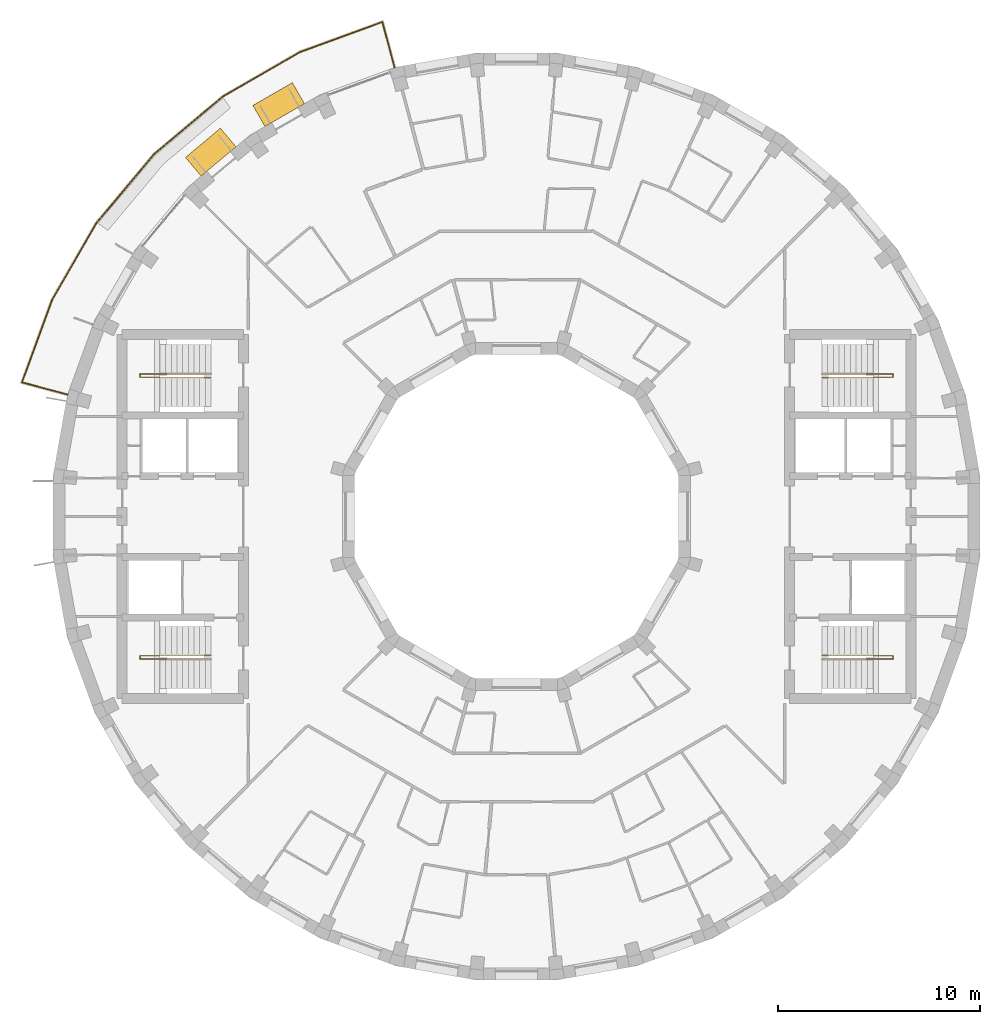
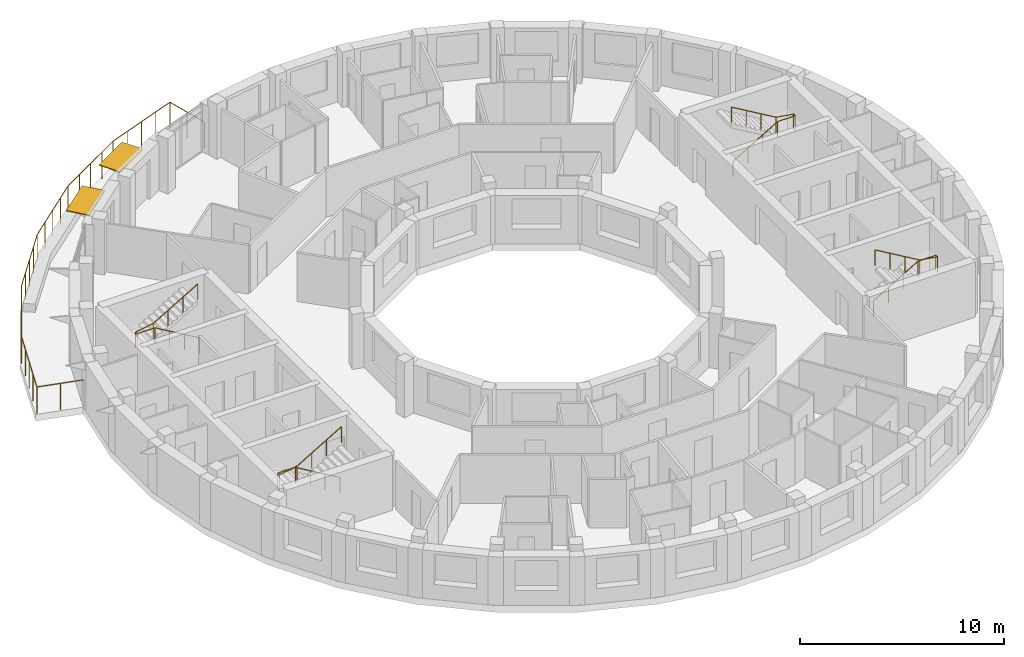
# One storey, part 12 of 12: 5 railings, 2 shading devices.
"""IFC4 building model written with IfcOpenShell, lengths in metres."""

import ifcopenshell
import ifcopenshell.guid

model = None  # the IFC model being written
_history = None  # IfcOwnerHistory: only IFC2X3 demands one
_inside = {}  # id of a spatial element -> (the spatial element, [elements in it])
_under = {}  # id of a project, library or spatial element -> (it, [spatial elements below it])
_declared = {}  # id of a project -> (the project, [libraries it declares])
_typed = {}  # id of a type object -> (the type object, [elements of that type])
_made_of = {}  # id of a material, layer set ... -> (it, [elements and type objects made of it])


def new_model(schema):
    """Start an empty IFC model of exactly this schema.

    Asked for "IFC4X3", IfcOpenShell would pick the latest addendum, in which some entities
    have other attributes; the version numbers below select the first issue.
    IFC2X3 requires an IfcOwnerHistory on every rooted entity: one is made here for all.
    """
    global model, _history
    if schema == "IFC4X3":
        model = ifcopenshell.file(schema_version=(4, 3, 0, 0))
    else:
        model = ifcopenshell.file(schema=schema)
    _inside.clear()
    _under.clear()
    _declared.clear()
    _typed.clear()
    _made_of.clear()
    _history = None
    if model.schema == "IFC2X3":
        org = make("IfcOrganization", Name="unknown")
        user = make(
            "IfcPersonAndOrganization",
            ThePerson=make("IfcPerson", FamilyName="unknown"),
            TheOrganization=org,
        )
        app = make(
            "IfcApplication",
            ApplicationDeveloper=org,
            Version="unknown",
            ApplicationFullName="unknown",
            ApplicationIdentifier="unknown",
        )
        _history = make(
            "IfcOwnerHistory",
            OwningUser=user,
            OwningApplication=app,
            ChangeAction="ADDED",
            CreationDate=0,
        )
    return model


def make(cls, **values):
    """One entity of the class cls with the attributes given. An attribute that is None is left unset."""
    return model.create_entity(
        cls, **{name: value for name, value in values.items() if value is not None}
    )


def rooted(cls, **values):
    """An entity with a GlobalId (a new one), such as an element, a storey or a relation."""
    return make(cls, GlobalId=ifcopenshell.guid.new(), OwnerHistory=_history, **values)


def si_unit(unit_type, name, prefix=None):
    """IfcSIUnit, for example si_unit("LENGTHUNIT", "METRE", prefix="MILLI")."""
    return make("IfcSIUnit", UnitType=unit_type, Prefix=prefix, Name=name)


def assignment(units):
    """IfcUnitAssignment: the units of a project."""
    return None if units is None else make("IfcUnitAssignment", Units=units)


def point(xyz):
    """IfcCartesianPoint."""
    return None if xyz is None else make("IfcCartesianPoint", Coordinates=xyz)


def direction(xyz):
    """IfcDirection."""
    return None if xyz is None else make("IfcDirection", DirectionRatios=xyz)


def frame(location, z_axis=None, x_axis=None):
    """IfcAxis2Placement3D, a coordinate frame: its origin and axes. An axis left out is left unset."""
    return make(
        "IfcAxis2Placement3D",
        Location=point(location),
        Axis=direction(z_axis),
        RefDirection=direction(x_axis),
    )


def frame_2d(location, x_axis=None):
    """IfcAxis2Placement2D, a coordinate frame in the plane: its origin and x axis."""
    return make(
        "IfcAxis2Placement2D", Location=point(location), RefDirection=direction(x_axis)
    )


def origin():
    """The frame at (0, 0, 0) with its axes left unset."""
    return frame((0.0, 0.0, 0.0))


def origin_2d():
    """The frame at (0, 0) in the plane with its x axis left unset."""
    return frame_2d((0.0, 0.0))


def place(relative_to, where):
    """IfcLocalPlacement: puts the frame where relative to a parent placement (None: the world)."""
    return make(
        "IfcLocalPlacement", PlacementRelTo=relative_to, RelativePlacement=where
    )


def context(
    kind, dimensions, precision=None, world=None, true_north=None, identifier=None
):
    """IfcGeometricRepresentationContext, for example the 3D "Model" context."""
    return make(
        "IfcGeometricRepresentationContext",
        ContextIdentifier=identifier,
        ContextType=kind,
        CoordinateSpaceDimension=dimensions,
        Precision=precision,
        WorldCoordinateSystem=world,
        TrueNorth=true_north,
    )


def subcontext(parent, identifier, kind, view, scale=None):
    """IfcGeometricRepresentationSubContext, for example "Body" below "Model"."""
    return make(
        "IfcGeometricRepresentationSubContext",
        ContextIdentifier=identifier,
        ContextType=kind,
        ParentContext=parent,
        TargetScale=scale,
        TargetView=view,
    )


def project(units=None, contexts=None):
    """IfcProject with its units and contexts."""
    return rooted(
        "IfcProject",
        Name="project",
        RepresentationContexts=contexts,
        UnitsInContext=assignment(units),
    )


def spatial(cls, under=None, at=None, **own):
    """A site, building, storey or space (cls), placed at a placement, below another one or the project."""
    s = rooted(cls, ObjectPlacement=at, **own)
    if under is not None:
        _under.setdefault(under.id(), (under, []))[1].append(s)
    return s


def profile(cls, at=None, kind="AREA", **sizes):
    """A parametric profile (cls). Its sizes go by their IFC names, for example OverallWidth=200.0."""
    return make(cls, ProfileType=kind, Position=at, **sizes)


def rectangle(**sizes):
    """IfcRectangleProfileDef."""
    return profile("IfcRectangleProfileDef", **sizes)


def circle(**sizes):
    """IfcCircleProfileDef."""
    return profile("IfcCircleProfileDef", **sizes)


def extrude(swept, where, along, depth):
    """IfcExtrudedAreaSolid: the profile swept, set in the frame where, extruded along a direction by depth."""
    return make(
        "IfcExtrudedAreaSolid",
        SweptArea=swept,
        Position=where,
        ExtrudedDirection=direction(along),
        Depth=depth,
    )


def shape(context_of_items, identifier, shape_type, items):
    """IfcShapeRepresentation: the items that make up one representation, for example the "Body"."""
    return make(
        "IfcShapeRepresentation",
        ContextOfItems=context_of_items,
        RepresentationIdentifier=identifier,
        RepresentationType=shape_type,
        Items=items,
    )


def material(Name=None, Category=None):
    """IfcMaterial."""
    return make("IfcMaterial", Name=Name, Category=Category)


def layer(
    of_material, thickness, ventilated=None, Name=None, Category=None, Priority=None
):
    """IfcMaterialLayer: one layer of a wall or slab, of a material (None: an air gap)."""
    return make(
        "IfcMaterialLayer",
        Material=of_material,
        LayerThickness=thickness,
        IsVentilated=ventilated,
        Name=Name,
        Category=Category,
        Priority=Priority,
    )


def layer_set(layers, Name=None):
    """IfcMaterialLayerSet."""
    return make("IfcMaterialLayerSet", MaterialLayers=layers, LayerSetName=Name)


def made_of(thing, what):
    """Note that an element or type object is made of a material, layer set ...; save() writes the relation."""
    if what is not None:
        _made_of.setdefault(what.id(), (what, []))[1].append(thing)
    return thing


def type_object(cls, material=None, **own):
    """A type object (cls), such as IfcWallType, which elements share."""
    return made_of(rooted(cls, **own), material)


def element(
    cls,
    number,
    at=None,
    inside=None,
    cuts=None,
    type_object=None,
    material=None,
    context=None,
    identifier="Body",
    shape_type=None,
    held_by="IfcProductDefinitionShape",
    body=None,
    shapes=None,
    **own,
):
    """One element of the class cls, such as IfcWall. Its Tag is "e" and its number.

    at: its placement. inside: the storey or other place that contains it. cuts: it is an
    opening in that element (IfcRelVoidsElement). A single representation is given by context,
    identifier, shape_type and body (its items); several are given by shapes. held_by: the class
    of the entity that holds the representations. save() writes the other relations.
    """
    e = rooted(cls, Tag="e%d" % number, ObjectPlacement=at, **own)
    if body is not None:
        shapes = [shape(context, identifier, shape_type, body)]
    if shapes is not None:
        e.Representation = make(held_by, Representations=shapes)
    if inside is not None:
        _inside.setdefault(inside.id(), (inside, []))[1].append(e)
    if cuts is not None:
        rooted(
            "IfcRelVoidsElement", RelatingBuildingElement=cuts, RelatedOpeningElement=e
        )
    if type_object is not None:
        _typed.setdefault(type_object.id(), (type_object, []))[1].append(e)
    return made_of(e, material)


def aggregate(whole, parts):
    """IfcRelAggregates: a whole, such as a stair, and the parts it consists of."""
    return rooted("IfcRelAggregates", RelatingObject=whole, RelatedObjects=parts)


def save(model, path):
    """Write the relations noted so far, then the file.

    IfcRelAggregates (storeys below a building ...), IfcRelContainedInSpatialStructure (elements
    in a storey), IfcRelDefinesByType, IfcRelAssociatesMaterial and IfcRelDeclares: one each for
    every whole, place, type object, material and project.
    """
    for whole, parts in _under.values():
        aggregate(whole, parts)
    for where, things in _inside.values():
        rooted(
            "IfcRelContainedInSpatialStructure",
            RelatedElements=things,
            RelatingStructure=where,
        )
    for kind, things in _typed.values():
        rooted("IfcRelDefinesByType", RelatedObjects=things, RelatingType=kind)
    for what, things in _made_of.values():
        rooted("IfcRelAssociatesMaterial", RelatedObjects=things, RelatingMaterial=what)
    for by, libraries in _declared.values():
        rooted("IfcRelDeclares", RelatingContext=by, RelatedDefinitions=libraries)
    model.write(path)


model = new_model("IFC4")

# Units and contexts
model_context = context("Model", 3, precision=1e-05, world=origin(), true_north=direction((0.0, 1.0)))
body_context = subcontext(model_context, "Body", "Model", "MODEL_VIEW")
ifc_project = project(units=[si_unit("LENGTHUNIT", "METRE"), si_unit("AREAUNIT", "SQUARE_METRE"), si_unit("VOLUMEUNIT", "CUBIC_METRE"), si_unit("PLANEANGLEUNIT", "RADIAN"), si_unit("MASSUNIT", "GRAM", prefix="KILO")], contexts=[model_context])

# Site, building, storey
site_placement = place(None, origin())
site = spatial("IfcSite", under=ifc_project, at=site_placement, CompositionType="ELEMENT")
building_placement = place(site_placement, origin())
building = spatial("IfcBuilding", under=site, at=building_placement, Name="Saqina Gate Tower", CompositionType="ELEMENT")
storey_placement = place(building_placement, frame((0.0, 0.0, 236.300048828125)))
storey = spatial("IfcBuildingStorey", under=building, at=storey_placement, Name="L67", CompositionType="ELEMENT", Elevation=236.300048828125)

# Shading devices
ifc_material_1 = material(Name="Aluminium and fabric awning", Category="aluminium")
ifc_layer = layer(ifc_material_1, 0.050048828125)
ifc_layer_set = layer_set([ifc_layer], Name="AW-TERRACE")
shading_device_type = type_object("IfcShadingDeviceType", Name="AW-TERRACE", PredefinedType="AWNING", material=ifc_layer_set)
for number, where, z_axis, x_axis, name in (
    (1, (-11.756103515625, 20.3623046875, 2.52490234375), (0.0, 0.0, 1.0), (-0.866025403784, -0.5, 0.0), "Terrace awning L67 facet 12"),
    (2, (-15.113525390625, 18.01171875, 2.52490234375), (0.0, 0.0, 1.0), (-0.766044443119, -0.642787609687, 0.0), "Terrace awning L67 facet 13"),
):
    element("IfcShadingDevice", number, at=place(storey_placement, frame(where, z_axis=z_axis, x_axis=x_axis)), inside=storey, type_object=shading_device_type, Name=name, PredefinedType="AWNING", context=body_context, shape_type="SweptSolid", body=[
        extrude(rectangle(XDim=2.251708984375, YDim=1.199951171875, at=origin_2d()), origin(), (0.0, 0.0, 1.0), 0.050048828125),
    ])

# Railings
ifc_material_2 = material(Name="Stainless steel", Category="steel")
railing_type_1 = type_object("IfcRailingType", Name="RL-TERRACE", PredefinedType="GUARDRAIL", material=ifc_material_2)
railing_1_placement = place(storey_placement, frame((-6.0146484375, 22.1376953125, 0.0)))
element("IfcRailing", 3, at=railing_1_placement, inside=storey, type_object=railing_type_1, Name="Terrace guard L67", PredefinedType="GUARDRAIL", context=body_context, shape_type="SweptSolid", body=[
    extrude(circle(Radius=0.02392578125, at=origin_2d()), frame((0.0, 0.0, 1.576171875), z_axis=(-0.25878206332, 0.965935734769, 0.0), x_axis=(-0.965935734769, -0.25878206332, 0.0)), (0.0, 0.0, 1.0), 2.388671875),
    extrude(circle(Radius=0.02392578125, at=origin_2d()), frame((-0.6181640625, 2.307373046875, 1.576171875), z_axis=(-0.939147224879, -0.343514905065, 0.0), x_axis=(0.343514905065, -0.939147224879, 0.0)), (0.0, 0.0, 1.0), 4.33544921875),
    extrude(circle(Radius=0.02392578125, at=origin_2d()), frame((-4.689697265625, 0.818115234375, 1.576171875), z_axis=(-0.866036415623, -0.49998092645, 0.0), x_axis=(0.49998092645, -0.866036415623, 0.0)), (0.0, 0.0, 1.0), 4.415283203125),
    extrude(circle(Radius=0.02392578125, at=origin_2d()), frame((-8.513427734375, -1.389404296875, 1.576171875), z_axis=(-0.766018499335, -0.642818527017, 0.0), x_axis=(0.642818527017, -0.766018499335, 0.0)), (0.0, 0.0, 1.0), 4.4150390625),
    extrude(circle(Radius=0.02392578125, at=origin_2d()), frame((-11.8955078125, -4.2275390625, 1.576171875), z_axis=(-0.642818527017, -0.766018499335, 0.0), x_axis=(0.766018499335, -0.642818527017, 0.0)), (0.0, 0.0, 1.0), 4.4150390625),
    extrude(circle(Radius=0.02392578125, at=origin_2d()), frame((-14.733642578125, -7.609619140625, 1.576171875), z_axis=(-0.49998092645, -0.866036415623, 0.0), x_axis=(0.866036415623, -0.49998092645, 0.0)), (0.0, 0.0, 1.0), 4.415283203125),
    extrude(circle(Radius=0.02392578125, at=origin_2d()), frame((-16.941162109375, -11.433349609375, 1.576171875), z_axis=(-0.343514905065, -0.939147224879, 0.0), x_axis=(0.939147224879, -0.343514905065, 0.0)), (0.0, 0.0, 1.0), 4.33544921875),
    extrude(circle(Radius=0.02392578125, at=origin_2d()), frame((-18.430419921875, -15.5048828125, 1.576171875), z_axis=(0.965935734769, -0.25878206332, 0.0), x_axis=(0.25878206332, 0.965935734769, 0.0)), (0.0, 0.0, 1.0), 2.388671875),
    extrude(circle(Radius=0.02099609375, at=origin_2d()), origin(), (0.0, 0.0, 1.0), 1.552001953125),
    extrude(circle(Radius=0.02099609375, at=origin_2d()), frame((-0.30908203125, 1.15380859375, 0.0)), (0.0, 0.0, 1.0), 1.552001953125),
    extrude(circle(Radius=0.02099609375, at=origin_2d()), frame((-0.6181640625, 2.307373046875, 0.0)), (0.0, 0.0, 1.0), 1.552001953125),
    extrude(circle(Radius=0.02099609375, at=origin_2d()), frame((-1.635986328125, 1.93505859375, 0.0)), (0.0, 0.0, 1.0), 1.552001953125),
    extrude(circle(Radius=0.02099609375, at=origin_2d()), frame((-2.65380859375, 1.562744140625, 0.0)), (0.0, 0.0, 1.0), 1.552001953125),
    extrude(circle(Radius=0.02099609375, at=origin_2d()), frame((-3.671875, 1.1904296875, 0.0)), (0.0, 0.0, 1.0), 1.552001953125),
    extrude(circle(Radius=0.02099609375, at=origin_2d()), frame((-4.689697265625, 0.818115234375, 0.0)), (0.0, 0.0, 1.0), 1.552001953125),
    extrude(circle(Radius=0.02099609375, at=origin_2d()), frame((-5.6455078125, 0.26611328125, 0.0)), (0.0, 0.0, 1.0), 1.552001953125),
    extrude(circle(Radius=0.02099609375, at=origin_2d()), frame((-6.6015625, -0.28564453125, 0.0)), (0.0, 0.0, 1.0), 1.552001953125),
    extrude(circle(Radius=0.02099609375, at=origin_2d()), frame((-7.5576171875, -0.83740234375, 0.0)), (0.0, 0.0, 1.0), 1.552001953125),
    extrude(circle(Radius=0.02099609375, at=origin_2d()), frame((-8.513427734375, -1.389404296875, 0.0)), (0.0, 0.0, 1.0), 1.552001953125),
    extrude(circle(Radius=0.02099609375, at=origin_2d()), frame((-9.35888671875, -2.098876953125, 0.0)), (0.0, 0.0, 1.0), 1.552001953125),
    extrude(circle(Radius=0.02099609375, at=origin_2d()), frame((-10.20458984375, -2.80859375, 0.0)), (0.0, 0.0, 1.0), 1.552001953125),
    extrude(circle(Radius=0.02099609375, at=origin_2d()), frame((-11.050048828125, -3.51806640625, 0.0)), (0.0, 0.0, 1.0), 1.552001953125),
    extrude(circle(Radius=0.02099609375, at=origin_2d()), frame((-11.8955078125, -4.2275390625, 0.0)), (0.0, 0.0, 1.0), 1.552001953125),
    extrude(circle(Radius=0.02099609375, at=origin_2d()), frame((-12.60498046875, -5.072998046875, 0.0)), (0.0, 0.0, 1.0), 1.552001953125),
    extrude(circle(Radius=0.02099609375, at=origin_2d()), frame((-13.314453125, -5.91845703125, 0.0)), (0.0, 0.0, 1.0), 1.552001953125),
    extrude(circle(Radius=0.02099609375, at=origin_2d()), frame((-14.024169921875, -6.76416015625, 0.0)), (0.0, 0.0, 1.0), 1.552001953125),
    extrude(circle(Radius=0.02099609375, at=origin_2d()), frame((-14.733642578125, -7.609619140625, 0.0)), (0.0, 0.0, 1.0), 1.552001953125),
    extrude(circle(Radius=0.02099609375, at=origin_2d()), frame((-15.28564453125, -8.5654296875, 0.0)), (0.0, 0.0, 1.0), 1.552001953125),
    extrude(circle(Radius=0.02099609375, at=origin_2d()), frame((-15.83740234375, -9.521484375, 0.0)), (0.0, 0.0, 1.0), 1.552001953125),
    extrude(circle(Radius=0.02099609375, at=origin_2d()), frame((-16.38916015625, -10.4775390625, 0.0)), (0.0, 0.0, 1.0), 1.552001953125),
    extrude(circle(Radius=0.02099609375, at=origin_2d()), frame((-16.941162109375, -11.433349609375, 0.0)), (0.0, 0.0, 1.0), 1.552001953125),
    extrude(circle(Radius=0.02099609375, at=origin_2d()), frame((-17.3134765625, -12.451171875, 0.0)), (0.0, 0.0, 1.0), 1.552001953125),
    extrude(circle(Radius=0.02099609375, at=origin_2d()), frame((-17.685791015625, -13.46923828125, 0.0)), (0.0, 0.0, 1.0), 1.552001953125),
    extrude(circle(Radius=0.02099609375, at=origin_2d()), frame((-18.05810546875, -14.487060546875, 0.0)), (0.0, 0.0, 1.0), 1.552001953125),
    extrude(circle(Radius=0.02099609375, at=origin_2d()), frame((-18.430419921875, -15.5048828125, 0.0)), (0.0, 0.0, 1.0), 1.552001953125),
    extrude(circle(Radius=0.02099609375, at=origin_2d()), frame((-17.27685546875, -15.81396484375, 0.0)), (0.0, 0.0, 1.0), 1.552001953125),
    extrude(circle(Radius=0.02099609375, at=origin_2d()), frame((-16.123046875, -16.123046875, 0.0)), (0.0, 0.0, 1.0), 1.552001953125),
])
ifc_material_3 = material(Name="Stainless steel", Category="steel")
railing_type_2 = type_object("IfcRailingType", Name="STAIR HANDRAIL", PredefinedType="HANDRAIL", material=ifc_material_3)
railing_2_placement = place(storey_placement, frame((15.10009765625, 6.88330078125, 0.1650390625)))
element("IfcRailing", 4, at=railing_2_placement, inside=storey, type_object=railing_type_2, Name="EXIT STAIR 1 HANDRAIL", PredefinedType="HANDRAIL", context=body_context, shape_type="SweptSolid", body=[
    extrude(circle(Radius=0.02392578125, at=origin_2d()), frame((0.0, 0.0, 0.92578125), z_axis=(0.861560626758, 0.0, 0.507654692109), x_axis=(0.0, 1.0, 0.0)), (0.0, 0.0, 1.0), 2.925048828125),
    extrude(circle(Radius=0.02392578125, at=origin_2d()), frame((2.52001953125, 0.0, 2.41064453125), z_axis=(1.0, 0.0, 0.0), x_axis=(0.0, 1.0, 0.0)), (0.0, 0.0, 1.0), 1.0),
    extrude(circle(Radius=0.02392578125, at=origin_2d()), frame((3.52001953125, 0.0, 2.41064453125), z_axis=(0.0, 1.0, 0.0), x_axis=(-1.0, 0.0, 0.0)), (0.0, 0.0, 1.0), 0.158447265625),
    extrude(circle(Radius=0.02392578125, at=origin_2d()), frame((3.52001953125, 0.158447265625, 2.41064453125), z_axis=(-0.98665309941, 0.0, 0.162836302539), x_axis=(0.0, -1.0, 0.0)), (0.0, 0.0, 1.0), 1.013427734375),
    extrude(circle(Radius=0.02392578125, at=origin_2d()), frame((2.52001953125, 0.158447265625, 2.57568359375), z_axis=(-0.86152411907, 0.0, 0.507716645641), x_axis=(0.0, -1.0, 0.0)), (0.0, 0.0, 1.0), 2.925048828125),
    extrude(circle(Radius=0.02099609375, at=origin_2d()), origin(), (0.0, 0.0, 1.0), 0.90185546875),
    extrude(circle(Radius=0.02099609375, at=origin_2d()), frame((0.840087890625, 0.0, 0.494873046875)), (0.0, 0.0, 1.0), 0.90185546875),
    extrude(circle(Radius=0.02099609375, at=origin_2d()), frame((1.679931640625, 0.0, 0.989990234375)), (0.0, 0.0, 1.0), 0.90185546875),
    extrude(circle(Radius=0.02099609375, at=origin_2d()), frame((2.52001953125, 0.0, 1.48486328125)), (0.0, 0.0, 1.0), 0.90185546875),
    extrude(circle(Radius=0.02099609375, at=origin_2d()), frame((3.52001953125, 0.0, 1.48486328125)), (0.0, 0.0, 1.0), 0.90185546875),
    extrude(circle(Radius=0.02099609375, at=origin_2d()), frame((3.52001953125, 0.158447265625, 1.48486328125)), (0.0, 0.0, 1.0), 0.90185546875),
    extrude(circle(Radius=0.02099609375, at=origin_2d()), frame((2.52001953125, 0.158447265625, 1.64990234375)), (0.0, 0.0, 1.0), 0.90185546875),
    extrude(circle(Radius=0.02099609375, at=origin_2d()), frame((1.679931640625, 0.158447265625, 2.14501953125)), (0.0, 0.0, 1.0), 0.90185546875),
    extrude(circle(Radius=0.02099609375, at=origin_2d()), frame((0.840087890625, 0.158447265625, 2.639892578125)), (0.0, 0.0, 1.0), 0.90185546875),
    extrude(circle(Radius=0.02099609375, at=origin_2d()), frame((0.0, 0.158447265625, 3.135009765625)), (0.0, 0.0, 1.0), 0.90185546875),
])
railing_3_placement = place(storey_placement, frame((15.10009765625, -6.88330078125, 0.1650390625)))
element("IfcRailing", 5, at=railing_3_placement, inside=storey, type_object=railing_type_2, Name="EXIT STAIR 2 HANDRAIL", PredefinedType="HANDRAIL", context=body_context, shape_type="SweptSolid", body=[
    extrude(circle(Radius=0.02392578125, at=origin_2d()), frame((0.0, 0.0, 0.92578125), z_axis=(0.861560626758, 0.0, 0.507654692109), x_axis=(0.0, 1.0, 0.0)), (0.0, 0.0, 1.0), 2.925048828125),
    extrude(circle(Radius=0.02392578125, at=origin_2d()), frame((2.52001953125, 0.0, 2.41064453125), z_axis=(1.0, 0.0, 0.0), x_axis=(0.0, 1.0, 0.0)), (0.0, 0.0, 1.0), 1.0),
    extrude(circle(Radius=0.02392578125, at=origin_2d()), frame((3.52001953125, 0.0, 2.41064453125), z_axis=(0.0, -1.0, 0.0), x_axis=(1.0, 0.0, 0.0)), (0.0, 0.0, 1.0), 0.158447265625),
    extrude(circle(Radius=0.02392578125, at=origin_2d()), frame((3.52001953125, -0.158447265625, 2.41064453125), z_axis=(-0.98665309941, 0.0, 0.162836302539), x_axis=(0.0, -1.0, 0.0)), (0.0, 0.0, 1.0), 1.013427734375),
    extrude(circle(Radius=0.02392578125, at=origin_2d()), frame((2.52001953125, -0.158447265625, 2.57568359375), z_axis=(-0.86152411907, 0.0, 0.507716645641), x_axis=(0.0, -1.0, 0.0)), (0.0, 0.0, 1.0), 2.925048828125),
    extrude(circle(Radius=0.02099609375, at=origin_2d()), origin(), (0.0, 0.0, 1.0), 0.90185546875),
    extrude(circle(Radius=0.02099609375, at=origin_2d()), frame((0.840087890625, 0.0, 0.494873046875)), (0.0, 0.0, 1.0), 0.90185546875),
    extrude(circle(Radius=0.02099609375, at=origin_2d()), frame((1.679931640625, 0.0, 0.989990234375)), (0.0, 0.0, 1.0), 0.90185546875),
    extrude(circle(Radius=0.02099609375, at=origin_2d()), frame((2.52001953125, 0.0, 1.48486328125)), (0.0, 0.0, 1.0), 0.90185546875),
    extrude(circle(Radius=0.02099609375, at=origin_2d()), frame((3.52001953125, 0.0, 1.48486328125)), (0.0, 0.0, 1.0), 0.90185546875),
    extrude(circle(Radius=0.02099609375, at=origin_2d()), frame((3.52001953125, -0.158447265625, 1.48486328125)), (0.0, 0.0, 1.0), 0.90185546875),
    extrude(circle(Radius=0.02099609375, at=origin_2d()), frame((2.52001953125, -0.158447265625, 1.64990234375)), (0.0, 0.0, 1.0), 0.90185546875),
    extrude(circle(Radius=0.02099609375, at=origin_2d()), frame((1.679931640625, -0.158447265625, 2.14501953125)), (0.0, 0.0, 1.0), 0.90185546875),
    extrude(circle(Radius=0.02099609375, at=origin_2d()), frame((0.840087890625, -0.158447265625, 2.639892578125)), (0.0, 0.0, 1.0), 0.90185546875),
    extrude(circle(Radius=0.02099609375, at=origin_2d()), frame((0.0, -0.158447265625, 3.135009765625)), (0.0, 0.0, 1.0), 0.90185546875),
])
railing_4_placement = place(storey_placement, frame((-15.10009765625, 6.88330078125, 0.1650390625)))
element("IfcRailing", 6, at=railing_4_placement, inside=storey, type_object=railing_type_2, Name="EXIT STAIR 3 HANDRAIL", PredefinedType="HANDRAIL", context=body_context, shape_type="SweptSolid", body=[
    extrude(circle(Radius=0.02392578125, at=origin_2d()), frame((0.0, 0.0, 0.92578125), z_axis=(-0.861560626758, 0.0, 0.507654692109), x_axis=(0.0, -1.0, 0.0)), (0.0, 0.0, 1.0), 2.925048828125),
    extrude(circle(Radius=0.02392578125, at=origin_2d()), frame((-2.52001953125, 0.0, 2.41064453125), z_axis=(-1.0, 0.0, 0.0), x_axis=(0.0, -1.0, 0.0)), (0.0, 0.0, 1.0), 1.0),
    extrude(circle(Radius=0.02392578125, at=origin_2d()), frame((-3.52001953125, 0.0, 2.41064453125), z_axis=(0.0, 1.0, 0.0), x_axis=(-1.0, 0.0, 0.0)), (0.0, 0.0, 1.0), 0.158447265625),
    extrude(circle(Radius=0.02392578125, at=origin_2d()), frame((-3.52001953125, 0.158447265625, 2.41064453125), z_axis=(0.98665309941, 0.0, 0.162836302539), x_axis=(0.0, 1.0, 0.0)), (0.0, 0.0, 1.0), 1.013427734375),
    extrude(circle(Radius=0.02392578125, at=origin_2d()), frame((-2.52001953125, 0.158447265625, 2.57568359375), z_axis=(0.86152411907, 0.0, 0.507716645641), x_axis=(0.0, 1.0, 0.0)), (0.0, 0.0, 1.0), 2.925048828125),
    extrude(circle(Radius=0.02099609375, at=origin_2d()), origin(), (0.0, 0.0, 1.0), 0.90185546875),
    extrude(circle(Radius=0.02099609375, at=origin_2d()), frame((-0.840087890625, 0.0, 0.494873046875)), (0.0, 0.0, 1.0), 0.90185546875),
    extrude(circle(Radius=0.02099609375, at=origin_2d()), frame((-1.679931640625, 0.0, 0.989990234375)), (0.0, 0.0, 1.0), 0.90185546875),
    extrude(circle(Radius=0.02099609375, at=origin_2d()), frame((-2.52001953125, 0.0, 1.48486328125)), (0.0, 0.0, 1.0), 0.90185546875),
    extrude(circle(Radius=0.02099609375, at=origin_2d()), frame((-3.52001953125, 0.0, 1.48486328125)), (0.0, 0.0, 1.0), 0.90185546875),
    extrude(circle(Radius=0.02099609375, at=origin_2d()), frame((-3.52001953125, 0.158447265625, 1.48486328125)), (0.0, 0.0, 1.0), 0.90185546875),
    extrude(circle(Radius=0.02099609375, at=origin_2d()), frame((-2.52001953125, 0.158447265625, 1.64990234375)), (0.0, 0.0, 1.0), 0.90185546875),
    extrude(circle(Radius=0.02099609375, at=origin_2d()), frame((-1.679931640625, 0.158447265625, 2.14501953125)), (0.0, 0.0, 1.0), 0.90185546875),
    extrude(circle(Radius=0.02099609375, at=origin_2d()), frame((-0.840087890625, 0.158447265625, 2.639892578125)), (0.0, 0.0, 1.0), 0.90185546875),
    extrude(circle(Radius=0.02099609375, at=origin_2d()), frame((0.0, 0.158447265625, 3.135009765625)), (0.0, 0.0, 1.0), 0.90185546875),
])
railing_5_placement = place(storey_placement, frame((-15.10009765625, -6.88330078125, 0.1650390625)))
element("IfcRailing", 7, at=railing_5_placement, inside=storey, type_object=railing_type_2, Name="EXIT STAIR 4 HANDRAIL", PredefinedType="HANDRAIL", context=body_context, shape_type="SweptSolid", body=[
    extrude(circle(Radius=0.02392578125, at=origin_2d()), frame((0.0, 0.0, 0.92578125), z_axis=(-0.861560626758, 0.0, 0.507654692109), x_axis=(0.0, -1.0, 0.0)), (0.0, 0.0, 1.0), 2.925048828125),
    extrude(circle(Radius=0.02392578125, at=origin_2d()), frame((-2.52001953125, 0.0, 2.41064453125), z_axis=(-1.0, 0.0, 0.0), x_axis=(0.0, -1.0, 0.0)), (0.0, 0.0, 1.0), 1.0),
    extrude(circle(Radius=0.02392578125, at=origin_2d()), frame((-3.52001953125, 0.0, 2.41064453125), z_axis=(0.0, -1.0, 0.0), x_axis=(1.0, 0.0, 0.0)), (0.0, 0.0, 1.0), 0.158447265625),
    extrude(circle(Radius=0.02392578125, at=origin_2d()), frame((-3.52001953125, -0.158447265625, 2.41064453125), z_axis=(0.98665309941, 0.0, 0.162836302539), x_axis=(0.0, 1.0, 0.0)), (0.0, 0.0, 1.0), 1.013427734375),
    extrude(circle(Radius=0.02392578125, at=origin_2d()), frame((-2.52001953125, -0.158447265625, 2.57568359375), z_axis=(0.86152411907, 0.0, 0.507716645641), x_axis=(0.0, 1.0, 0.0)), (0.0, 0.0, 1.0), 2.925048828125),
    extrude(circle(Radius=0.02099609375, at=origin_2d()), origin(), (0.0, 0.0, 1.0), 0.90185546875),
    extrude(circle(Radius=0.02099609375, at=origin_2d()), frame((-0.840087890625, 0.0, 0.494873046875)), (0.0, 0.0, 1.0), 0.90185546875),
    extrude(circle(Radius=0.02099609375, at=origin_2d()), frame((-1.679931640625, 0.0, 0.989990234375)), (0.0, 0.0, 1.0), 0.90185546875),
    extrude(circle(Radius=0.02099609375, at=origin_2d()), frame((-2.52001953125, 0.0, 1.48486328125)), (0.0, 0.0, 1.0), 0.90185546875),
    extrude(circle(Radius=0.02099609375, at=origin_2d()), frame((-3.52001953125, 0.0, 1.48486328125)), (0.0, 0.0, 1.0), 0.90185546875),
    extrude(circle(Radius=0.02099609375, at=origin_2d()), frame((-3.52001953125, -0.158447265625, 1.48486328125)), (0.0, 0.0, 1.0), 0.90185546875),
    extrude(circle(Radius=0.02099609375, at=origin_2d()), frame((-2.52001953125, -0.158447265625, 1.64990234375)), (0.0, 0.0, 1.0), 0.90185546875),
    extrude(circle(Radius=0.02099609375, at=origin_2d()), frame((-1.679931640625, -0.158447265625, 2.14501953125)), (0.0, 0.0, 1.0), 0.90185546875),
    extrude(circle(Radius=0.02099609375, at=origin_2d()), frame((-0.840087890625, -0.158447265625, 2.639892578125)), (0.0, 0.0, 1.0), 0.90185546875),
    extrude(circle(Radius=0.02099609375, at=origin_2d()), frame((0.0, -0.158447265625, 3.135009765625)), (0.0, 0.0, 1.0), 0.90185546875),
])

save(model, "model.ifc")
